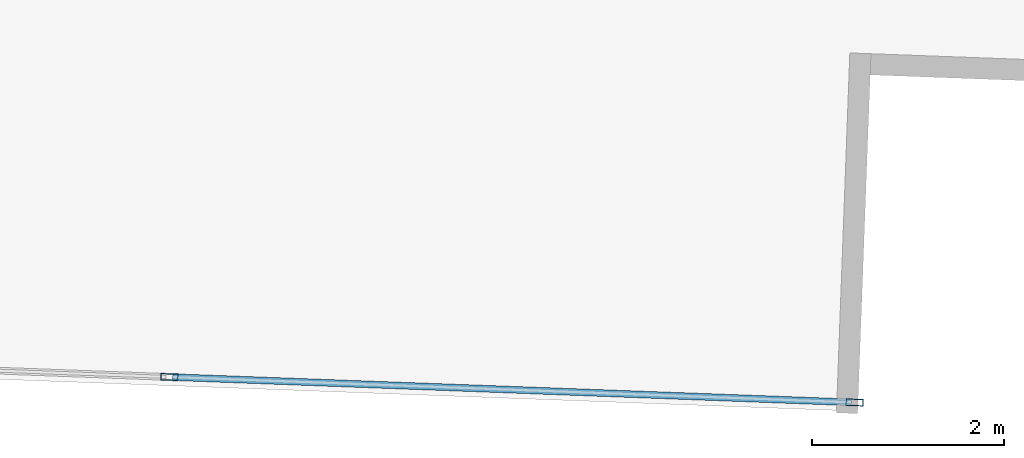
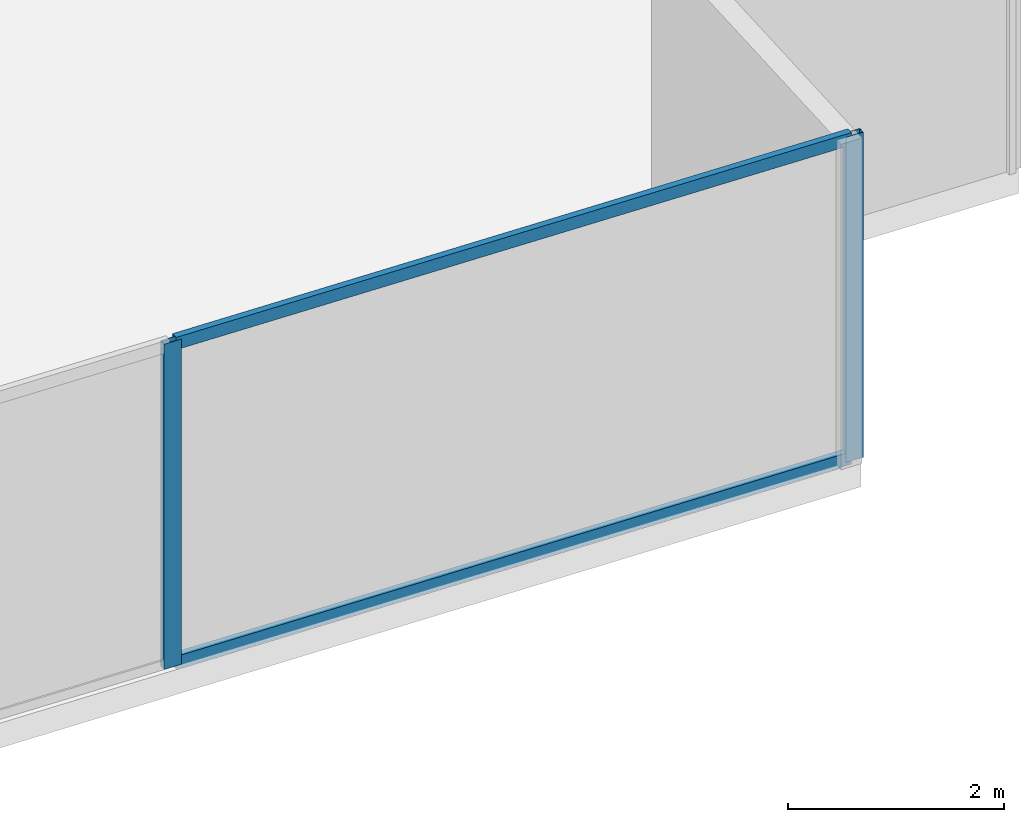
# One storey, part 12 of 30: 4 members, 1 element without a shape of its own.
"""IFC4 building model written with IfcOpenShell, lengths in metres."""

from ifc_helpers import new_model, si_unit, direction, frame, origin, origin_2d, place, context, subcontext, project, spatial, hollow_rectangle, extrude, source, transform, mapped, material, material_profile, profile_set, type_object, type_shapes, element, aggregate, save


model = new_model("IFC4")

# Units and contexts
model_context = context("Model", 3, precision=1e-05, world=origin(), true_north=direction((0.0, 1.0)))
body_context = subcontext(model_context, "Body", "Model", "MODEL_VIEW")
ifc_project = project(units=[si_unit("LENGTHUNIT", "METRE"), si_unit("AREAUNIT", "SQUARE_METRE"), si_unit("VOLUMEUNIT", "CUBIC_METRE"), si_unit("PLANEANGLEUNIT", "RADIAN"), si_unit("MASSUNIT", "GRAM", prefix="KILO")], contexts=[model_context])

# Site, building, storey
site_placement = place(None, origin())
site = spatial("IfcSite", under=ifc_project, at=site_placement, CompositionType="ELEMENT")
building_placement = place(site_placement, origin())
building = spatial("IfcBuilding", under=site, at=building_placement, Name="Krantzveldt Concourse Tower", CompositionType="ELEMENT")
storey_placement = place(building_placement, frame((0.0, 0.0, 44.75)))
storey = spatial("IfcBuildingStorey", under=building, at=storey_placement, Name="L10", CompositionType="ELEMENT", Elevation=44.75)

# Curtain wall, members
ifc_material = material(Name="Anodised aluminium 6063-T6", Category="aluminium")
curtain_wall_type = type_object("IfcCurtainWallType", Name="CW2", PredefinedType="USERDEFINED", material=ifc_material)
curtain_wall_placement = place(storey_placement, origin())
curtain_wall = element("IfcCurtainWall", 1, at=curtain_wall_placement, inside=storey, type_object=curtain_wall_type, Name="CW-L10-F04", ObjectType="UNITISED CURTAIN WALL", PredefinedType="USERDEFINED")
ifc_material_profile_1 = material_profile(ifc_material, hollow_rectangle(XDim=0.070068359375, YDim=0.179931640625, WallThickness=0.0048828125, at=origin_2d()), Name="Anodised aluminium 6063-T6", Category="aluminium")
ifc_profile_set_1 = profile_set([ifc_material_profile_1], Name="Anodised aluminium 6063-T6 - ALU-MULL 180x70x5")
member_type_1 = type_object("IfcMemberType", Name="CW-MUL-180", PredefinedType="MULLION", material=ifc_profile_set_1)
shared_shape_1 = source(origin(), body_context, "Body", "SweptSolid", [
    extrude(hollow_rectangle(XDim=0.070068359375, YDim=0.179931640625, WallThickness=0.0048828125, at=origin_2d()), origin(), (0.0, 0.0, 1.0), 3.669921875),
])
type_shapes(member_type_1, [shared_shape_1])
member_1_placement = place(storey_placement, frame((49.39990234375, 1.275634765625, 0.0), z_axis=(0.0, 0.0, 1.0), x_axis=(0.037079766834, 0.999312308986, 0.0)))
member_1 = element("IfcMember", 2, at=member_1_placement, type_object=member_type_1, Name="CW-Z12 mullion 6", PredefinedType="MULLION", context=body_context, shape_type="MappedRepresentation", body=[
    mapped(shared_shape_1, transform((0.0, 0.0, 0.0), x_axis=(1.0, 0.0, 0.0), y_axis=(0.0, 1.0, 0.0), z_axis=(0.0, 0.0, 1.0), scale=1.0)),
])
member_2_placement = place(storey_placement, frame((56.526611328125, 1.01123046875, 0.0), z_axis=(0.0, 0.0, 1.0), x_axis=(0.037079766834, 0.999312308986, 0.0)))
member_2 = element("IfcMember", 3, at=member_2_placement, type_object=member_type_1, Name="CW-Z12 mullion 7", PredefinedType="MULLION", context=body_context, shape_type="MappedRepresentation", body=[
    mapped(shared_shape_1, transform((0.0, 0.0, 0.0), x_axis=(1.0, 0.0, 0.0), y_axis=(0.0, 1.0, 0.0), z_axis=(0.0, 0.0, 1.0), scale=1.0)),
])
ifc_material_profile_2 = material_profile(ifc_material, hollow_rectangle(XDim=0.070068359375, YDim=0.139892578125, WallThickness=0.0048828125, at=origin_2d()), Name="Anodised aluminium 6063-T6", Category="aluminium")
ifc_profile_set_2 = profile_set([ifc_material_profile_2], Name="Anodised aluminium 6063-T6 - ALU-TRAN 140x70x5")
member_type_2 = type_object("IfcMemberType", Name="CW-TRN-150", PredefinedType="USERDEFINED", material=ifc_profile_set_2)
shared_shape_2 = source(origin(), body_context, "Body", "SweptSolid", [
    extrude(hollow_rectangle(XDim=0.070068359375, YDim=0.139892578125, WallThickness=0.0048828125, at=origin_2d()), origin(), (0.0, 0.0, 1.0), 7.061767578125),
])
type_shapes(member_type_2, [shared_shape_2])
member_3_placement = place(storey_placement, frame((49.434814453125, 1.2744140625, 0.034912109375), z_axis=(0.99931170449, -0.037096054624, 0.0), x_axis=(0.037096054624, 0.99931170449, 0.0)))
member_3 = element("IfcMember", 4, at=member_3_placement, type_object=member_type_2, Name="CW-Z12 transom 6.1", ObjectType="TRANSOM", PredefinedType="USERDEFINED", context=body_context, shape_type="MappedRepresentation", body=[
    mapped(shared_shape_2, transform((0.0, 0.0, 0.0), x_axis=(1.0, 0.0, 0.0), y_axis=(0.0, 1.0, 0.0), z_axis=(0.0, 0.0, 1.0), scale=1.0)),
])
member_4_placement = place(storey_placement, frame((49.434814453125, 1.2744140625, 3.635009765625), z_axis=(0.99931170449, -0.037096054624, 0.0), x_axis=(0.037096054624, 0.99931170449, 0.0)))
member_4 = element("IfcMember", 5, at=member_4_placement, type_object=member_type_2, Name="CW-Z12 transom 6.2", ObjectType="TRANSOM", PredefinedType="USERDEFINED", context=body_context, shape_type="MappedRepresentation", body=[
    mapped(shared_shape_2, transform((0.0, 0.0, 0.0), x_axis=(1.0, 0.0, 0.0), y_axis=(0.0, 1.0, 0.0), z_axis=(0.0, 0.0, 1.0), scale=1.0)),
])
aggregate(curtain_wall, [member_1, member_2, member_3, member_4])

save(model, "model.ifc")
